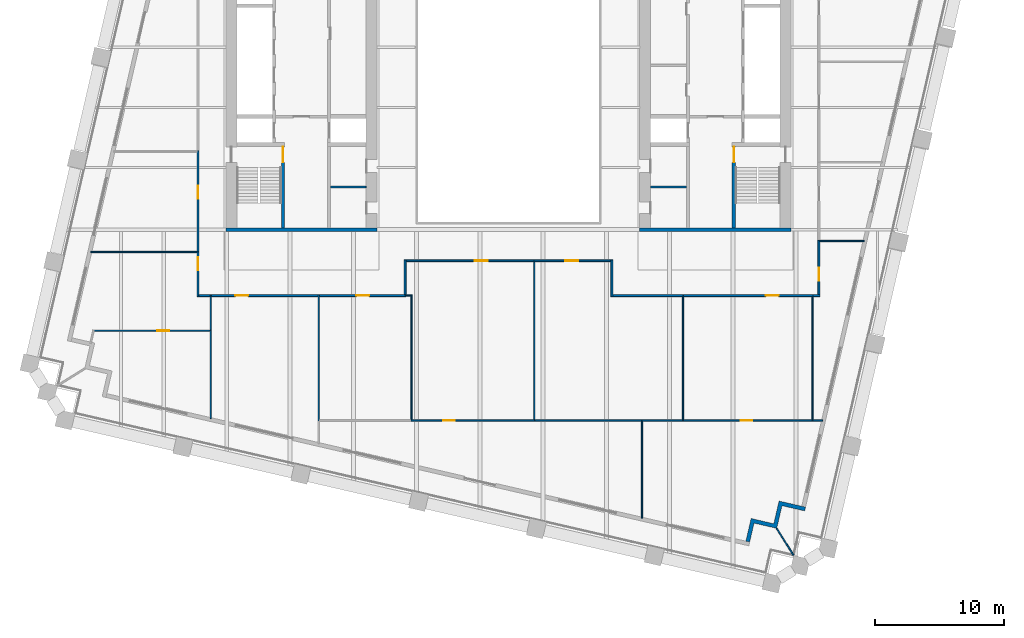
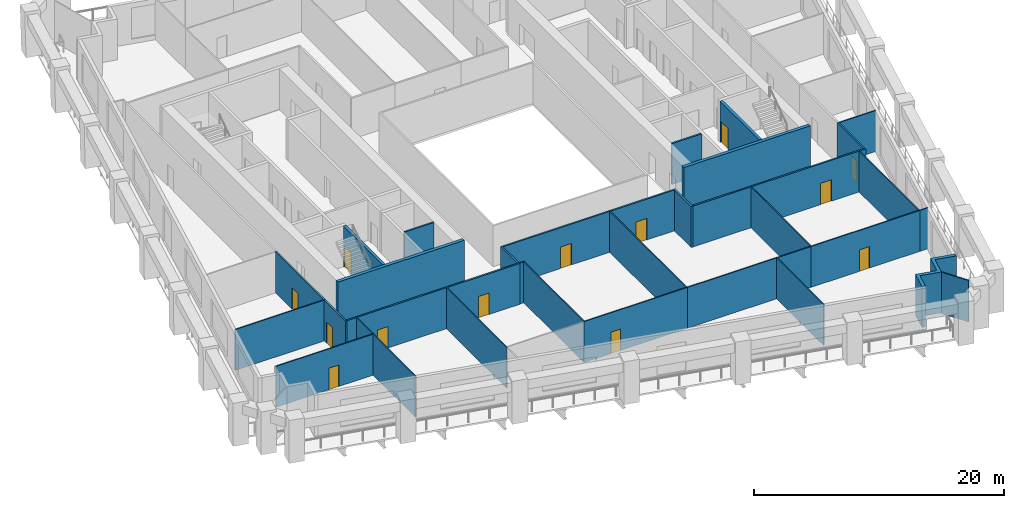
# One storey, part 4 of 9: 38 walls, 13 doors, 13 openings.
"""IFC4 building model written with IfcOpenShell, lengths in metres."""

from ifc_helpers import new_model, si_unit, direction, frame, frame_2d, origin, place, context, subcontext, project, spatial, polyline, rectangle, outline, extrude, material, layer, layer_set, type_object, element, fill, save


model = new_model("IFC4")

# Units and contexts
model_context = context("Model", 3, precision=1e-05, world=origin(), true_north=direction((0.0, 1.0)))
body_context = subcontext(model_context, "Body", "Model", "MODEL_VIEW")
ifc_project = project(units=[si_unit("LENGTHUNIT", "METRE"), si_unit("AREAUNIT", "SQUARE_METRE"), si_unit("VOLUMEUNIT", "CUBIC_METRE"), si_unit("PLANEANGLEUNIT", "RADIAN"), si_unit("MASSUNIT", "GRAM", prefix="KILO")], contexts=[model_context])

# Site, building, storey
site_placement = place(None, origin())
site = spatial("IfcSite", under=ifc_project, at=site_placement, CompositionType="ELEMENT")
building_placement = place(site_placement, origin())
building = spatial("IfcBuilding", under=site, at=building_placement, Name="Ogive Exchange Tower", CompositionType="ELEMENT")
storey_placement = place(building_placement, frame((0.0, 0.0, 122.39990234375)))
storey = spatial("IfcBuildingStorey", under=building, at=storey_placement, Name="L26", CompositionType="ELEMENT", Elevation=122.39990234375)

# Walls
ifc_material_1 = material(Name="Gypsum board partition")
ifc_layer_1 = layer(ifc_material_1, 0.14990234375)
ifc_layer_set_1 = layer_set([ifc_layer_1], Name="Core room partition 150 gypsum")
wall_type_1 = type_object("IfcWallType", Name="Core room partition 150 gypsum", PredefinedType="PARTITIONING", material=ifc_layer_set_1)
for number, where, z_axis, x_axis, name in (
    (1, (-13.75, 0.699951171875, 0.0), (0.0, 0.0, 1.0), (1.0, 0.0, 0.0), "W south room partition"),
    (2, (11.0, 0.699951171875, 0.0), (0.0, 0.0, 1.0), (1.0, 0.0, 0.0), "E south room partition"),
):
    element("IfcWall", number, at=place(storey_placement, frame(where, z_axis=z_axis, x_axis=x_axis)), inside=storey, type_object=wall_type_1, Name=name, PredefinedType="PARTITIONING", context=body_context, shape_type="SweptSolid", body=[
        extrude(rectangle(XDim=2.75, YDim=0.14990234375, at=frame_2d((1.375, 0.0))), origin(), (0.0, 0.0, 1.0), 4.0),
    ])

# Wall, opening, door
ifc_material_2 = material(Name="Fire partition EI 60 150")
ifc_layer_2 = layer(ifc_material_2, 0.14990234375)
ifc_layer_set_2 = layer_set([ifc_layer_2], Name="Fire partition EI 60 150")
wall_type_2 = type_object("IfcWallType", Name="Fire partition EI 60 150", PredefinedType="PARTITIONING", material=ifc_layer_set_2)
wall_1_placement = place(storey_placement, frame((-24.0, -7.77490234375, 0.0), z_axis=(0.0, 0.0, 1.0), x_axis=(0.0, 1.0, 0.0)))
wall_1 = element("IfcWall", 3, at=wall_1_placement, inside=storey, type_object=wall_type_2, Name="L26-PWL-003", PredefinedType="PARTITIONING", context=body_context, shape_type="SweptSolid", body=[
    extrude(rectangle(XDim=3.454833984375, YDim=0.14990234375, at=frame_2d((1.7275390625, 0.0))), origin(), (0.0, 0.0, 1.0), 4.0),
])
opening_1_placement = place(wall_1_placement, frame((2.054931640625, 0.0, 0.0)))
opening_1 = element("IfcOpeningElement", 4, at=opening_1_placement, cuts=wall_1, Name="Opening L26-I22", PredefinedType="OPENING", context=body_context, shape_type="SweptSolid", body=[
    extrude(rectangle(XDim=1.0, YDim=2.10009765625, at=frame_2d((0.5, 1.050048828125))), frame((0.0, 0.0849609375, 0.0), z_axis=(0.0, -1.0, 0.0), x_axis=(1.0, 0.0, 0.0)), (0.0, 0.0, 1.0), 0.169921875),
])
ifc_material_3 = material(Name="Fire door FD 30S 1000 x 2100")
door_type_1 = type_object("IfcDoorType", Name="Fire door FD 30S 1000 x 2100", OperationType="NOTDEFINED", PredefinedType="DOOR", material=ifc_material_3)
door_1_placement = place(opening_1_placement, origin())
door_1 = element("IfcDoor", 5, at=door_1_placement, inside=storey, type_object=door_type_1, Name="L26-IDR-022", ObjectType="DT3", OperationType="SINGLE_SWING_LEFT", OverallHeight=2.10009765625, OverallWidth=1.0, PredefinedType="DOOR", context=body_context, shape_type="SweptSolid", body=[
    extrude(rectangle(XDim=1.0, YDim=2.10009765625, at=frame_2d((0.5, 1.050048828125))), frame((0.0, 0.02490234375, 0.0), z_axis=(0.0, -1.0, 0.0), x_axis=(1.0, 0.0, 0.0)), (0.0, 0.0, 1.0), 0.050048828125),
])
fill(opening_1, door_1)

wall_2_placement = place(storey_placement, frame((-24.0, -4.320068359375, 0.0), z_axis=(0.0, 0.0, 1.0), x_axis=(0.0, 1.0, 0.0)))
wall_2 = element("IfcWall", 6, at=wall_2_placement, inside=storey, type_object=wall_type_2, Name="L26-PWL-005", PredefinedType="PARTITIONING", context=body_context, shape_type="SweptSolid", body=[
    extrude(rectangle(XDim=7.820068359375, YDim=0.14990234375, at=frame_2d((3.91015625, 0.0))), origin(), (0.0, 0.0, 1.0), 4.0),
])
opening_2_placement = place(wall_2_placement, frame((4.1201171875, 0.0, 0.0)))
opening_2 = element("IfcOpeningElement", 7, at=opening_2_placement, cuts=wall_2, Name="Opening L26-I21", PredefinedType="OPENING", context=body_context, shape_type="SweptSolid", body=[
    extrude(rectangle(XDim=1.0, YDim=2.10009765625, at=frame_2d((0.5, 1.050048828125))), frame((0.0, 0.0849609375, 0.0), z_axis=(0.0, -1.0, 0.0), x_axis=(1.0, 0.0, 0.0)), (0.0, 0.0, 1.0), 0.169921875),
])
door_2_placement = place(opening_2_placement, origin())
door_2 = element("IfcDoor", 8, at=door_2_placement, inside=storey, type_object=door_type_1, Name="L26-IDR-021", ObjectType="DT3", OperationType="SINGLE_SWING_LEFT", OverallHeight=2.10009765625, OverallWidth=1.0, PredefinedType="DOOR", context=body_context, shape_type="SweptSolid", body=[
    extrude(rectangle(XDim=1.0, YDim=2.10009765625, at=frame_2d((0.5, 1.050048828125))), frame((0.0, 0.02490234375, 0.0), z_axis=(0.0, -1.0, 0.0), x_axis=(1.0, 0.0, 0.0)), (0.0, 0.0, 1.0), 0.050048828125),
])
fill(opening_2, door_2)

# Wall
wall_3_placement = place(storey_placement, frame((-23.06005859375, -7.699951171875, 0.0), z_axis=(0.0, 0.0, 1.0), x_axis=(-1.0, 0.0, 0.0)))
element("IfcWall", 9, at=wall_3_placement, inside=storey, type_object=wall_type_2, Name="L26-PWL-013", PredefinedType="PARTITIONING", context=body_context, shape_type="SweptSolid", body=[
    extrude(rectangle(XDim=0.864990234375, YDim=0.14990234375, at=frame_2d((0.4326171875, 0.0))), origin(), (0.0, 0.0, 1.0), 4.0),
])

# Wall, opening, door
wall_4_placement = place(storey_placement, frame((-14.719970703125, -7.699951171875, 0.0), z_axis=(0.0, 0.0, 1.0), x_axis=(-1.0, 0.0, 0.0)))
wall_4 = element("IfcWall", 10, at=wall_4_placement, inside=storey, type_object=wall_type_2, Name="L26-PWL-017", PredefinedType="PARTITIONING", context=body_context, shape_type="SweptSolid", body=[
    extrude(rectangle(XDim=8.239990234375, YDim=0.14990234375, at=frame_2d((4.1201171875, 0.0))), origin(), (0.0, 0.0, 1.0), 4.0),
])
opening_3_placement = place(wall_4_placement, frame((5.389892578125, 0.0, 0.0)))
opening_3 = element("IfcOpeningElement", 11, at=opening_3_placement, cuts=wall_4, Name="Opening L26-I20", PredefinedType="OPENING", context=body_context, shape_type="SweptSolid", body=[
    extrude(rectangle(XDim=1.0, YDim=2.10009765625, at=frame_2d((0.5, 1.050048828125))), frame((0.0, 0.0849609375, 0.0), z_axis=(0.0, -1.0, 0.0), x_axis=(1.0, 0.0, 0.0)), (0.0, 0.0, 1.0), 0.169921875),
])
door_3_placement = place(opening_3_placement, origin())
door_3 = element("IfcDoor", 12, at=door_3_placement, inside=storey, type_object=door_type_1, Name="L26-IDR-020", ObjectType="DT3", OperationType="SINGLE_SWING_LEFT", OverallHeight=2.10009765625, OverallWidth=1.0, PredefinedType="DOOR", context=body_context, shape_type="SweptSolid", body=[
    extrude(rectangle(XDim=1.0, YDim=2.10009765625, at=frame_2d((0.5, 1.050048828125))), frame((0.0, 0.02490234375, 0.0), z_axis=(0.0, -1.0, 0.0), x_axis=(1.0, 0.0, 0.0)), (0.0, 0.0, 1.0), 0.050048828125),
])
fill(opening_3, door_3)

wall_5_placement = place(storey_placement, frame((-7.925048828125, -7.699951171875, 0.0), z_axis=(0.0, 0.0, 1.0), x_axis=(-1.0, 0.0, 0.0)))
wall_5 = element("IfcWall", 13, at=wall_5_placement, inside=storey, type_object=wall_type_2, Name="L26-PWL-021", PredefinedType="PARTITIONING", context=body_context, shape_type="SweptSolid", body=[
    extrude(rectangle(XDim=6.695068359375, YDim=0.14990234375, at=frame_2d((3.34765625, 0.0))), origin(), (0.0, 0.0, 1.0), 4.0),
])
opening_4_placement = place(wall_5_placement, frame((2.844970703125, 0.0, 0.0)))
opening_4 = element("IfcOpeningElement", 14, at=opening_4_placement, cuts=wall_5, Name="Opening L26-I03", PredefinedType="OPENING", context=body_context, shape_type="SweptSolid", body=[
    extrude(rectangle(XDim=1.0, YDim=2.10009765625, at=frame_2d((0.5, 1.050048828125))), frame((0.0, 0.0849609375, 0.0), z_axis=(0.0, -1.0, 0.0), x_axis=(1.0, 0.0, 0.0)), (0.0, 0.0, 1.0), 0.169921875),
])
door_4_placement = place(opening_4_placement, origin())
door_4 = element("IfcDoor", 15, at=door_4_placement, inside=storey, type_object=door_type_1, Name="L26-IDR-003", ObjectType="DT3", OperationType="SINGLE_SWING_LEFT", OverallHeight=2.10009765625, OverallWidth=1.0, PredefinedType="DOOR", context=body_context, shape_type="SweptSolid", body=[
    extrude(rectangle(XDim=1.0, YDim=2.10009765625, at=frame_2d((0.5, 1.050048828125))), frame((0.0, 0.02490234375, 0.0), z_axis=(0.0, -1.0, 0.0), x_axis=(1.0, 0.0, 0.0)), (0.0, 0.0, 1.0), 0.050048828125),
])
fill(opening_4, door_4)

# Wall
wall_6_placement = place(storey_placement, frame((-7.989990234375, -4.925048828125, 0.0), z_axis=(0.0, 0.0, 1.0), x_axis=(0.0, -1.0, 0.0)))
element("IfcWall", 16, at=wall_6_placement, inside=storey, type_object=wall_type_2, Name="L26-PWL-025", PredefinedType="PARTITIONING", context=body_context, shape_type="SweptSolid", body=[
    extrude(rectangle(XDim=2.68994140625, YDim=0.14990234375, at=frame_2d((1.344970703125, 0.0))), origin(), (0.0, 0.0, 1.0), 4.0),
])

# Wall, opening, door
wall_7_placement = place(storey_placement, frame((2.0400390625, -5.0, 0.0), z_axis=(0.0, 0.0, 1.0), x_axis=(-1.0, 0.0, 0.0)))
wall_7 = element("IfcWall", 17, at=wall_7_placement, inside=storey, type_object=wall_type_2, Name="L26-PWL-032", PredefinedType="PARTITIONING", context=body_context, shape_type="SweptSolid", body=[
    extrude(rectangle(XDim=9.955078125, YDim=0.14990234375, at=frame_2d((4.9775390625, 0.0))), origin(), (0.0, 0.0, 1.0), 4.0),
])
opening_5_placement = place(wall_7_placement, frame((3.6298828125, 0.0, 0.0)))
opening_5 = element("IfcOpeningElement", 18, at=opening_5_placement, cuts=wall_7, Name="Opening L26-I04", PredefinedType="OPENING", context=body_context, shape_type="SweptSolid", body=[
    extrude(rectangle(XDim=1.0, YDim=2.10009765625, at=frame_2d((0.5, 1.050048828125))), frame((0.0, 0.0849609375, 0.0), z_axis=(0.0, -1.0, 0.0), x_axis=(1.0, 0.0, 0.0)), (0.0, 0.0, 1.0), 0.169921875),
])
door_5_placement = place(opening_5_placement, origin())
door_5 = element("IfcDoor", 19, at=door_5_placement, inside=storey, type_object=door_type_1, Name="L26-IDR-004", ObjectType="DT3", OperationType="SINGLE_SWING_RIGHT", OverallHeight=2.10009765625, OverallWidth=1.0, PredefinedType="DOOR", context=body_context, shape_type="SweptSolid", body=[
    extrude(rectangle(XDim=1.0, YDim=2.10009765625, at=frame_2d((0.5, 1.050048828125))), frame((0.0, 0.02490234375, 0.0), z_axis=(0.0, -1.0, 0.0), x_axis=(1.0, 0.0, 0.0)), (0.0, 0.0, 1.0), 0.050048828125),
])
fill(opening_5, door_5)

# Wall
wall_8_placement = place(storey_placement, frame((8.0, -7.77490234375, 0.0), z_axis=(0.0, 0.0, 1.0), x_axis=(0.0, 1.0, 0.0)))
element("IfcWall", 20, at=wall_8_placement, inside=storey, type_object=wall_type_2, Name="L26-PWL-041", PredefinedType="PARTITIONING", context=body_context, shape_type="SweptSolid", body=[
    extrude(rectangle(XDim=2.849853515625, YDim=0.14990234375, at=frame_2d((1.4248046875, 0.0))), origin(), (0.0, 0.0, 1.0), 4.0),
])

# Wall, opening, door
wall_9_placement = place(storey_placement, frame((7.925048828125, -5.0, 0.0), z_axis=(0.0, 0.0, 1.0), x_axis=(-1.0, 0.0, 0.0)))
wall_9 = element("IfcWall", 21, at=wall_9_placement, inside=storey, type_object=wall_type_2, Name="L26-PWL-042", PredefinedType="PARTITIONING", context=body_context, shape_type="SweptSolid", body=[
    extrude(rectangle(XDim=5.93505859375, YDim=0.14990234375, at=frame_2d((2.967529296875, 0.0))), origin(), (0.0, 0.0, 1.0), 4.0),
])
opening_6_placement = place(wall_9_placement, frame((2.534912109375, 0.0, 0.0)))
opening_6 = element("IfcOpeningElement", 22, at=opening_6_placement, cuts=wall_9, Name="Opening L26-I05", PredefinedType="OPENING", context=body_context, shape_type="SweptSolid", body=[
    extrude(rectangle(XDim=1.0, YDim=2.10009765625, at=frame_2d((0.5, 1.050048828125))), frame((0.0, 0.0849609375, 0.0), z_axis=(0.0, -1.0, 0.0), x_axis=(1.0, 0.0, 0.0)), (0.0, 0.0, 1.0), 0.169921875),
])
door_6_placement = place(opening_6_placement, origin())
door_6 = element("IfcDoor", 23, at=door_6_placement, inside=storey, type_object=door_type_1, Name="L26-IDR-005", ObjectType="DT3", OperationType="SINGLE_SWING_LEFT", OverallHeight=2.10009765625, OverallWidth=1.0, PredefinedType="DOOR", context=body_context, shape_type="SweptSolid", body=[
    extrude(rectangle(XDim=1.0, YDim=2.10009765625, at=frame_2d((0.5, 1.050048828125))), frame((0.0, 0.02490234375, 0.0), z_axis=(0.0, -1.0, 0.0), x_axis=(1.0, 0.0, 0.0)), (0.0, 0.0, 1.0), 0.050048828125),
])
fill(opening_6, door_6)

# Wall
wall_10_placement = place(storey_placement, frame((13.5, -7.699951171875, 0.0), z_axis=(0.0, 0.0, 1.0), x_axis=(-1.0, 0.0, 0.0)))
element("IfcWall", 24, at=wall_10_placement, inside=storey, type_object=wall_type_2, Name="L26-PWL-047", PredefinedType="PARTITIONING", context=body_context, shape_type="SweptSolid", body=[
    extrude(rectangle(XDim=5.425048828125, YDim=0.14990234375, at=frame_2d((2.71240234375, 0.0))), origin(), (0.0, 0.0, 1.0), 4.0),
])

# Wall, opening, door
wall_11_placement = place(storey_placement, frame((23.550048828125, -7.699951171875, 0.0), z_axis=(0.0, 0.0, 1.0), x_axis=(-1.0, 0.0, 0.0)))
wall_11 = element("IfcWall", 25, at=wall_11_placement, inside=storey, type_object=wall_type_2, Name="L26-PWL-054", PredefinedType="PARTITIONING", context=body_context, shape_type="SweptSolid", body=[
    extrude(rectangle(XDim=10.050048828125, YDim=0.14990234375, at=frame_2d((5.02490234375, 0.0))), origin(), (0.0, 0.0, 1.0), 4.0),
])
opening_7_placement = place(wall_11_placement, frame((2.64990234375, 0.0, 0.0)))
opening_7 = element("IfcOpeningElement", 26, at=opening_7_placement, cuts=wall_11, Name="Opening L26-I06", PredefinedType="OPENING", context=body_context, shape_type="SweptSolid", body=[
    extrude(rectangle(XDim=1.0, YDim=2.10009765625, at=frame_2d((0.5, 1.050048828125))), frame((0.0, 0.0849609375, 0.0), z_axis=(0.0, -1.0, 0.0), x_axis=(1.0, 0.0, 0.0)), (0.0, 0.0, 1.0), 0.169921875),
])
door_7_placement = place(opening_7_placement, origin())
door_7 = element("IfcDoor", 27, at=door_7_placement, inside=storey, type_object=door_type_1, Name="L26-IDR-006", ObjectType="DT3", OperationType="SINGLE_SWING_RIGHT", OverallHeight=2.10009765625, OverallWidth=1.0, PredefinedType="DOOR", context=body_context, shape_type="SweptSolid", body=[
    extrude(rectangle(XDim=1.0, YDim=2.10009765625, at=frame_2d((0.5, 1.050048828125))), frame((0.0, 0.02490234375, 0.0), z_axis=(0.0, -1.0, 0.0), x_axis=(1.0, 0.0, 0.0)), (0.0, 0.0, 1.0), 0.050048828125),
])
fill(opening_7, door_7)

# Wall
wall_12_placement = place(storey_placement, frame((24.074951171875, -7.699951171875, 0.0), z_axis=(0.0, 0.0, 1.0), x_axis=(-1.0, 0.0, 0.0)))
element("IfcWall", 28, at=wall_12_placement, inside=storey, type_object=wall_type_2, Name="L26-PWL-056", PredefinedType="PARTITIONING", context=body_context, shape_type="SweptSolid", body=[
    extrude(rectangle(XDim=0.52490234375, YDim=0.14990234375, at=frame_2d((0.262451171875, 0.0))), origin(), (0.0, 0.0, 1.0), 4.0),
])

# Wall, opening, door
wall_13_placement = place(storey_placement, frame((24.0, -3.429931640625, 0.0), z_axis=(0.0, 0.0, 1.0), x_axis=(0.0, -1.0, 0.0)))
wall_13 = element("IfcWall", 29, at=wall_13_placement, inside=storey, type_object=wall_type_2, Name="L26-PWL-057", PredefinedType="PARTITIONING", context=body_context, shape_type="SweptSolid", body=[
    extrude(rectangle(XDim=4.195068359375, YDim=0.14990234375, at=frame_2d((2.09765625, 0.0))), origin(), (0.0, 0.0, 1.0), 4.0),
])
opening_8_placement = place(wall_13_placement, frame((2.1201171875, 0.0, 0.0)))
opening_8 = element("IfcOpeningElement", 30, at=opening_8_placement, cuts=wall_13, Name="Opening L26-I07", PredefinedType="OPENING", context=body_context, shape_type="SweptSolid", body=[
    extrude(rectangle(XDim=1.0, YDim=2.10009765625, at=frame_2d((0.5, 1.050048828125))), frame((0.0, 0.0849609375, 0.0), z_axis=(0.0, -1.0, 0.0), x_axis=(1.0, 0.0, 0.0)), (0.0, 0.0, 1.0), 0.169921875),
])
door_8_placement = place(opening_8_placement, origin())
door_8 = element("IfcDoor", 31, at=door_8_placement, inside=storey, type_object=door_type_1, Name="L26-IDR-007", ObjectType="DT3", OperationType="SINGLE_SWING_RIGHT", OverallHeight=2.10009765625, OverallWidth=1.0, PredefinedType="DOOR", context=body_context, shape_type="SweptSolid", body=[
    extrude(rectangle(XDim=1.0, YDim=2.10009765625, at=frame_2d((0.5, 1.050048828125))), frame((0.0, 0.02490234375, 0.0), z_axis=(0.0, -1.0, 0.0), x_axis=(1.0, 0.0, 0.0)), (0.0, 0.0, 1.0), 0.050048828125),
])
fill(opening_8, door_8)

# Walls
ifc_material_4 = material(Name="Precast concrete C40/50", Category="concrete")
ifc_layer_3 = layer(ifc_material_4, 0.300048828125)
ifc_layer_set_3 = layer_set([ifc_layer_3], Name="Limestone-faced wall 300")
wall_type_3 = type_object("IfcWallType", Name="Limestone-faced wall 300", PredefinedType="STANDARD", material=ifc_layer_set_3)
wall_14_placement = place(storey_placement, origin())
element("IfcWall", 32, at=wall_14_placement, inside=storey, type_object=wall_type_3, Name="External corner wall C1", PredefinedType="STANDARD", context=body_context, shape_type="SweptSolid", body=[
    extrude(outline(polyline([(20.515380859375, -25.330810546875), (20.92041015625, -23.576904296875), (22.966552734375, -24.04931640625), (22.89892578125, -24.341552734375), (21.145263671875, -23.936767578125), (20.740234375, -25.690673828125), (18.986328125, -25.28564453125), (18.64892578125, -26.747314453125), (18.356689453125, -26.6796875), (18.76171875, -24.92578125), (20.515380859375, -25.330810546875)])), origin(), (0.0, 0.0, 1.0), 4.0),
])
ifc_material_5 = material(Name="Laminated safety glass in steel frame", Category="steel")
ifc_layer_4 = layer(ifc_material_5, 0.10009765625)
ifc_layer_set_4 = layer_set([ifc_layer_4], Name="Loggia end screen 100")
wall_type_4 = type_object("IfcWallType", Name="Loggia end screen 100", PredefinedType="STANDARD", material=ifc_layer_set_4)
wall_15_placement = place(storey_placement, frame((20.740234375, -25.690673828125, -0.0498046875), z_axis=(0.0, 0.0, 1.0), x_axis=(0.529972121605, -0.848015064914, 0.0)))
element("IfcWall", 33, at=wall_15_placement, inside=storey, type_object=wall_type_4, Name="Loggia end screen C1", PredefinedType="STANDARD", context=body_context, shape_type="SweptSolid", body=[
    extrude(rectangle(XDim=2.454833984375, YDim=0.10009765625, at=frame_2d((1.2275390625, 0.0))), origin(), (0.0, 0.0, 1.0), 4.0498046875),
])
ifc_material_6 = material(Name="Partition 100 gypsum")
ifc_layer_5 = layer(ifc_material_6, 0.10009765625)
ifc_layer_set_5 = layer_set([ifc_layer_5], Name="Partition 100 gypsum")
wall_type_5 = type_object("IfcWallType", Name="Partition 100 gypsum", PredefinedType="PARTITIONING", material=ifc_layer_set_5)
wall_16_placement = place(storey_placement, frame((-24.074951171875, -4.320068359375, 0.0), z_axis=(0.0, 0.0, 1.0), x_axis=(-1.0, 0.0, 0.0)))
element("IfcWall", 34, at=wall_16_placement, inside=storey, type_object=wall_type_5, Name="L26-PWL-004", PredefinedType="PARTITIONING", context=body_context, shape_type="SweptSolid", body=[
    extrude(rectangle(XDim=8.217041015625, YDim=0.10009765625, at=frame_2d((4.1083984375, 0.0))), origin(), (0.0, 0.0, 1.0), 4.0),
])
wall_17_placement = place(storey_placement, frame((-23.010009765625, -17.2119140625, 0.0), z_axis=(0.0, 0.0, 1.0), x_axis=(0.0, 1.0, 0.0)))
element("IfcWall", 35, at=wall_17_placement, inside=storey, type_object=wall_type_5, Name="L26-PWL-010", PredefinedType="PARTITIONING", context=body_context, shape_type="SweptSolid", body=[
    extrude(rectangle(XDim=6.851806640625, YDim=0.10009765625, at=frame_2d((3.42578125, 0.0))), origin(), (0.0, 0.0, 1.0), 4.0),
])

# Wall, opening, door
wall_18_placement = place(storey_placement, frame((-23.06005859375, -10.409912109375, 0.0), z_axis=(0.0, 0.0, 1.0), x_axis=(-1.0, 0.0, 0.0)))
wall_18 = element("IfcWall", 36, at=wall_18_placement, inside=storey, type_object=wall_type_5, Name="L26-PWL-011", PredefinedType="PARTITIONING", context=body_context, shape_type="SweptSolid", body=[
    extrude(rectangle(XDim=8.969970703125, YDim=0.10009765625, at=frame_2d((4.48486328125, 0.0))), origin(), (0.0, 0.0, 1.0), 4.0),
])
opening_9_placement = place(wall_18_placement, frame((3.169921875, 0.0, 0.0)))
opening_9 = element("IfcOpeningElement", 37, at=opening_9_placement, cuts=wall_18, Name="Opening L26-I23", PredefinedType="OPENING", context=body_context, shape_type="SweptSolid", body=[
    extrude(rectangle(XDim=0.89990234375, YDim=2.10009765625, at=frame_2d((0.449951171875, 1.050048828125))), frame((0.0, 0.06005859375, 0.0), z_axis=(0.0, -1.0, 0.0), x_axis=(1.0, 0.0, 0.0)), (0.0, 0.0, 1.0), 0.1201171875),
])
ifc_material_7 = material(Name="Door 900 x 2100")
door_type_2 = type_object("IfcDoorType", Name="Door 900 x 2100", OperationType="NOTDEFINED", PredefinedType="DOOR", material=ifc_material_7)
door_9_placement = place(opening_9_placement, origin())
door_9 = element("IfcDoor", 38, at=door_9_placement, inside=storey, type_object=door_type_2, Name="L26-IDR-023", ObjectType="DT1", OperationType="SINGLE_SWING_RIGHT", OverallHeight=2.10009765625, OverallWidth=0.89990234375, PredefinedType="DOOR", context=body_context, shape_type="SweptSolid", body=[
    extrude(rectangle(XDim=0.89990234375, YDim=2.10009765625, at=frame_2d((0.449951171875, 1.050048828125))), frame((0.0, 0.02490234375, 0.0), z_axis=(0.0, -1.0, 0.0), x_axis=(1.0, 0.0, 0.0)), (0.0, 0.0, 1.0), 0.050048828125),
])
fill(opening_9, door_9)

# Walls
wall_19_placement = place(storey_placement, frame((-23.010009765625, -10.360107421875, 0.0), z_axis=(0.0, 0.0, 1.0), x_axis=(0.0, 1.0, 0.0)))
element("IfcWall", 39, at=wall_19_placement, inside=storey, type_object=wall_type_5, Name="L26-PWL-012", PredefinedType="PARTITIONING", context=body_context, shape_type="SweptSolid", body=[
    extrude(rectangle(XDim=2.735107421875, YDim=0.10009765625, at=frame_2d((1.36767578125, 0.0))), origin(), (0.0, 0.0, 1.0), 4.0),
])
wall_20_placement = place(storey_placement, frame((-14.669921875, -17.389892578125, 0.0), z_axis=(0.0, 0.0, 1.0), x_axis=(0.0, 1.0, 0.0)))
element("IfcWall", 40, at=wall_20_placement, inside=storey, type_object=wall_type_5, Name="L26-PWL-015", PredefinedType="PARTITIONING", context=body_context, shape_type="SweptSolid", body=[
    extrude(rectangle(XDim=9.764892578125, YDim=0.10009765625, at=frame_2d((4.88232421875, 0.0))), origin(), (0.0, 0.0, 1.0), 4.0),
])
wall_21_placement = place(storey_placement, frame((-7.925048828125, -7.68994140625, 0.0), z_axis=(0.0, 0.0, 1.0), x_axis=(1.0, 0.0, 0.0)))
element("IfcWall", 41, at=wall_21_placement, inside=storey, type_object=wall_type_5, Name="L26-PWL-024", PredefinedType="PARTITIONING", context=body_context, shape_type="SweptSolid", body=[
    extrude(rectangle(XDim=0.47509765625, YDim=0.10009765625, at=frame_2d((0.237548828125, 0.0))), origin(), (0.0, 0.0, 1.0), 4.0),
])

# Wall, opening, door
wall_22_placement = place(storey_placement, frame((-7.550048828125, -17.340087890625, 0.0), z_axis=(0.0, 0.0, 1.0), x_axis=(1.0, 0.0, 0.0)))
wall_22 = element("IfcWall", 42, at=wall_22_placement, inside=storey, type_object=wall_type_5, Name="L26-PWL-026", PredefinedType="PARTITIONING", context=body_context, shape_type="SweptSolid", body=[
    extrude(rectangle(XDim=9.590087890625, YDim=0.10009765625, at=frame_2d((4.794921875, 0.0))), origin(), (0.0, 0.0, 1.0), 4.0),
])
opening_10_placement = place(wall_22_placement, frame((2.5, 0.0, 0.0)))
opening_10 = element("IfcOpeningElement", 43, at=opening_10_placement, cuts=wall_22, Name="Opening L26-I01", PredefinedType="OPENING", context=body_context, shape_type="SweptSolid", body=[
    extrude(rectangle(XDim=0.89990234375, YDim=2.10009765625, at=frame_2d((0.449951171875, 1.050048828125))), frame((0.0, 0.06005859375, 0.0), z_axis=(0.0, -1.0, 0.0), x_axis=(1.0, 0.0, 0.0)), (0.0, 0.0, 1.0), 0.1201171875),
])
door_10_placement = place(opening_10_placement, frame((0.89990234375, 0.0, 0.0), z_axis=(0.0, 0.0, 1.0), x_axis=(-1.0, 0.0, 0.0)))
door_10 = element("IfcDoor", 44, at=door_10_placement, inside=storey, type_object=door_type_2, Name="L26-IDR-001", ObjectType="DT1", OperationType="SINGLE_SWING_LEFT", OverallHeight=2.10009765625, OverallWidth=0.89990234375, PredefinedType="DOOR", context=body_context, shape_type="SweptSolid", body=[
    extrude(rectangle(XDim=0.89990234375, YDim=2.10009765625, at=frame_2d((0.449951171875, 1.050048828125))), frame((0.0, 0.02490234375, 0.0), z_axis=(0.0, -1.0, 0.0), x_axis=(1.0, 0.0, 0.0)), (0.0, 0.0, 1.0), 0.050048828125),
])
fill(opening_10, door_10)

# Walls
wall_23_placement = place(storey_placement, frame((-7.5, -7.739990234375, 0.0), z_axis=(0.0, 0.0, 1.0), x_axis=(0.0, -1.0, 0.0)))
element("IfcWall", 45, at=wall_23_placement, inside=storey, type_object=wall_type_5, Name="L26-PWL-027", PredefinedType="PARTITIONING", context=body_context, shape_type="SweptSolid", body=[
    extrude(rectangle(XDim=9.550048828125, YDim=0.10009765625, at=frame_2d((4.77490234375, 0.0))), origin(), (0.0, 0.0, 1.0), 4.0),
])
wall_24_placement = place(storey_placement, frame((2.0400390625, -17.340087890625, 0.0), z_axis=(0.0, 0.0, 1.0), x_axis=(1.0, 0.0, 0.0)))
element("IfcWall", 46, at=wall_24_placement, inside=storey, type_object=wall_type_5, Name="L26-PWL-031", PredefinedType="PARTITIONING", context=body_context, shape_type="SweptSolid", body=[
    extrude(rectangle(XDim=8.330078125, YDim=0.10009765625, at=frame_2d((4.1650390625, 0.0))), origin(), (0.0, 0.0, 1.0), 4.0),
])
wall_25_placement = place(storey_placement, frame((1.989990234375, -5.074951171875, 0.0), z_axis=(0.0, 0.0, 1.0), x_axis=(0.0, -1.0, 0.0)))
element("IfcWall", 47, at=wall_25_placement, inside=storey, type_object=wall_type_5, Name="L26-PWL-033", PredefinedType="PARTITIONING", context=body_context, shape_type="SweptSolid", body=[
    extrude(rectangle(XDim=12.215087890625, YDim=0.10009765625, at=frame_2d((6.107421875, 0.0))), origin(), (0.0, 0.0, 1.0), 4.0),
])
wall_26_placement = place(storey_placement, frame((10.320068359375, -17.389892578125, 0.0), z_axis=(0.0, 0.0, 1.0), x_axis=(0.0, -1.0, 0.0)))
element("IfcWall", 48, at=wall_26_placement, inside=storey, type_object=wall_type_5, Name="L26-PWL-044", PredefinedType="PARTITIONING", context=body_context, shape_type="SweptSolid", body=[
    extrude(rectangle(XDim=7.51708984375, YDim=0.10009765625, at=frame_2d((3.758544921875, 0.0))), origin(), (0.0, 0.0, 1.0), 4.0),
])
wall_27_placement = place(storey_placement, frame((10.320068359375, -17.340087890625, 0.0), z_axis=(0.0, 0.0, 1.0), x_axis=(1.0, 0.0, 0.0)))
element("IfcWall", 49, at=wall_27_placement, inside=storey, type_object=wall_type_5, Name="L26-PWL-045", PredefinedType="PARTITIONING", context=body_context, shape_type="SweptSolid", body=[
    extrude(rectangle(XDim=3.1298828125, YDim=0.10009765625, at=frame_2d((1.56494140625, 0.0))), origin(), (0.0, 0.0, 1.0), 4.0),
])

# Wall, opening, door
wall_28_placement = place(storey_placement, frame((13.449951171875, -17.340087890625, 0.0), z_axis=(0.0, 0.0, 1.0), x_axis=(1.0, 0.0, 0.0)))
wall_28 = element("IfcWall", 50, at=wall_28_placement, inside=storey, type_object=wall_type_5, Name="L26-PWL-046", PredefinedType="PARTITIONING", context=body_context, shape_type="SweptSolid", body=[
    extrude(rectangle(XDim=10.10009765625, YDim=0.10009765625, at=frame_2d((5.050048828125, 0.0))), origin(), (0.0, 0.0, 1.0), 4.0),
])
opening_11_placement = place(wall_28_placement, frame((4.5, 0.0, 0.0)))
opening_11 = element("IfcOpeningElement", 51, at=opening_11_placement, cuts=wall_28, Name="Opening L26-I02", PredefinedType="OPENING", context=body_context, shape_type="SweptSolid", body=[
    extrude(rectangle(XDim=0.89990234375, YDim=2.10009765625, at=frame_2d((0.449951171875, 1.050048828125))), frame((0.0, 0.06005859375, 0.0), z_axis=(0.0, -1.0, 0.0), x_axis=(1.0, 0.0, 0.0)), (0.0, 0.0, 1.0), 0.1201171875),
])
door_11_placement = place(opening_11_placement, origin())
door_11 = element("IfcDoor", 52, at=door_11_placement, inside=storey, type_object=door_type_2, Name="L26-IDR-002", ObjectType="DT1", OperationType="SINGLE_SWING_RIGHT", OverallHeight=2.10009765625, OverallWidth=0.89990234375, PredefinedType="DOOR", context=body_context, shape_type="SweptSolid", body=[
    extrude(rectangle(XDim=0.89990234375, YDim=2.10009765625, at=frame_2d((0.449951171875, 1.050048828125))), frame((0.0, 0.02490234375, 0.0), z_axis=(0.0, -1.0, 0.0), x_axis=(1.0, 0.0, 0.0)), (0.0, 0.0, 1.0), 0.050048828125),
])
fill(opening_11, door_11)

# Walls
wall_29_placement = place(storey_placement, frame((13.5, -7.77490234375, 0.0), z_axis=(0.0, 0.0, 1.0), x_axis=(0.0, -1.0, 0.0)))
element("IfcWall", 53, at=wall_29_placement, inside=storey, type_object=wall_type_5, Name="L26-PWL-048", PredefinedType="PARTITIONING", context=body_context, shape_type="SweptSolid", body=[
    extrude(rectangle(XDim=9.51513671875, YDim=0.10009765625, at=frame_2d((4.757568359375, 0.0))), origin(), (0.0, 0.0, 1.0), 4.0),
])
wall_30_placement = place(storey_placement, frame((23.550048828125, -17.340087890625, 0.0), z_axis=(0.0, 0.0, 1.0), x_axis=(1.0, 0.0, 0.0)))
element("IfcWall", 54, at=wall_30_placement, inside=storey, type_object=wall_type_5, Name="L26-PWL-053", PredefinedType="PARTITIONING", context=body_context, shape_type="SweptSolid", body=[
    extrude(rectangle(XDim=0.739990234375, YDim=0.10009765625, at=frame_2d((0.3701171875, 0.0))), origin(), (0.0, 0.0, 1.0), 4.0),
])
wall_31_placement = place(storey_placement, frame((23.5, -7.77490234375, 0.0), z_axis=(0.0, 0.0, 1.0), x_axis=(0.0, -1.0, 0.0)))
element("IfcWall", 55, at=wall_31_placement, inside=storey, type_object=wall_type_5, Name="L26-PWL-055", PredefinedType="PARTITIONING", context=body_context, shape_type="SweptSolid", body=[
    extrude(rectangle(XDim=9.51513671875, YDim=0.10009765625, at=frame_2d((4.757568359375, 0.0))), origin(), (0.0, 0.0, 1.0), 4.0),
])
wall_32_placement = place(storey_placement, frame((24.074951171875, -3.47998046875, 0.0), z_axis=(0.0, 0.0, 1.0), x_axis=(1.0, 0.0, 0.0)))
element("IfcWall", 56, at=wall_32_placement, inside=storey, type_object=wall_type_5, Name="L26-PWL-058", PredefinedType="PARTITIONING", context=body_context, shape_type="SweptSolid", body=[
    extrude(rectangle(XDim=3.4150390625, YDim=0.10009765625, at=frame_2d((1.70751953125, 0.0))), origin(), (0.0, 0.0, 1.0), 4.0),
])

# Wall, opening, door
ifc_material_8 = material(Name="Concrete C70/85", Category="concrete")
ifc_layer_6 = layer(ifc_material_8, 0.25)
ifc_layer_set_6 = layer_set([ifc_layer_6], Name="RC core wall 250 C70/85")
wall_type_6 = type_object("IfcWallType", Name="RC core wall 250 C70/85", PredefinedType="SHEAR", material=ifc_layer_set_6)
wall_33_placement = place(storey_placement, frame((-17.425048828125, -2.449951171875, 0.0), z_axis=(0.0, 0.0, 1.0), x_axis=(0.0, 1.0, 0.0)))
wall_33 = element("IfcWall", 57, at=wall_33_placement, inside=storey, type_object=wall_type_6, Name="W stair S front wall", PredefinedType="SHEAR", context=body_context, shape_type="SweptSolid", body=[
    extrude(rectangle(XDim=6.300048828125, YDim=0.25, at=frame_2d((3.14990234375, 0.0))), origin(), (0.0, 0.0, 1.0), 4.0),
])
opening_12_placement = place(wall_33_placement, frame((5.050048828125, 0.0, 0.0)))
opening_12 = element("IfcOpeningElement", 58, at=opening_12_placement, cuts=wall_33, Name="Opening L26-C12", PredefinedType="OPENING", context=body_context, shape_type="SweptSolid", body=[
    extrude(rectangle(XDim=1.199951171875, YDim=2.10009765625, at=frame_2d((0.60009765625, 1.050048828125))), frame((0.0, 0.135009765625, 0.0), z_axis=(0.0, -1.0, 0.0), x_axis=(1.0, 0.0, 0.0)), (0.0, 0.0, 1.0), 0.27001953125),
])
ifc_material_9 = material(Name="Steel fire door", Category="steel")
door_type_3 = type_object("IfcDoorType", Name="Stair door FD90 1200 x 2100", OperationType="NOTDEFINED", PredefinedType="DOOR", material=ifc_material_9)
door_12_placement = place(opening_12_placement, origin())
door_12 = element("IfcDoor", 59, at=door_12_placement, inside=storey, type_object=door_type_3, Name="Stair door", ObjectType="CD5", OperationType="SINGLE_SWING_LEFT", OverallHeight=2.10009765625, OverallWidth=1.199951171875, PredefinedType="DOOR", context=body_context, shape_type="SweptSolid", body=[
    extrude(rectangle(XDim=1.199951171875, YDim=2.10009765625, at=frame_2d((0.60009765625, 1.050048828125))), frame((0.0, 0.02490234375, 0.0), z_axis=(0.0, -1.0, 0.0), x_axis=(1.0, 0.0, 0.0)), (0.0, 0.0, 1.0), 0.050048828125),
])
fill(opening_12, door_12)

wall_34_placement = place(storey_placement, frame((17.425048828125, -2.449951171875, 0.0), z_axis=(0.0, 0.0, 1.0), x_axis=(0.0, 1.0, 0.0)))
wall_34 = element("IfcWall", 60, at=wall_34_placement, inside=storey, type_object=wall_type_6, Name="E stair S front wall", PredefinedType="SHEAR", context=body_context, shape_type="SweptSolid", body=[
    extrude(rectangle(XDim=6.300048828125, YDim=0.25, at=frame_2d((3.14990234375, 0.0))), origin(), (0.0, 0.0, 1.0), 4.0),
])
opening_13_placement = place(wall_34_placement, frame((5.050048828125, 0.0, 0.0)))
opening_13 = element("IfcOpeningElement", 61, at=opening_13_placement, cuts=wall_34, Name="Opening L26-C30", PredefinedType="OPENING", context=body_context, shape_type="SweptSolid", body=[
    extrude(rectangle(XDim=1.199951171875, YDim=2.10009765625, at=frame_2d((0.60009765625, 1.050048828125))), frame((0.0, 0.135009765625, 0.0), z_axis=(0.0, -1.0, 0.0), x_axis=(1.0, 0.0, 0.0)), (0.0, 0.0, 1.0), 0.27001953125),
])
door_13_placement = place(opening_13_placement, frame((1.199951171875, 0.0, 0.0), z_axis=(0.0, 0.0, 1.0), x_axis=(-1.0, 0.0, 0.0)))
door_13 = element("IfcDoor", 62, at=door_13_placement, inside=storey, type_object=door_type_3, Name="Stair door", ObjectType="CD5", OperationType="SINGLE_SWING_RIGHT", OverallHeight=2.10009765625, OverallWidth=1.199951171875, PredefinedType="DOOR", context=body_context, shape_type="SweptSolid", body=[
    extrude(rectangle(XDim=1.199951171875, YDim=2.10009765625, at=frame_2d((0.60009765625, 1.050048828125))), frame((0.0, 0.02490234375, 0.0), z_axis=(0.0, -1.0, 0.0), x_axis=(1.0, 0.0, 0.0)), (0.0, 0.0, 1.0), 0.050048828125),
])
fill(opening_13, door_13)

# Walls
ifc_layer_7 = layer(ifc_material_8, 0.300048828125)
ifc_layer_set_7 = layer_set([ifc_layer_7], Name="RC core wall 300 C70/85")
wall_type_7 = type_object("IfcWallType", Name="RC core wall 300 C70/85", PredefinedType="SHEAR", material=ifc_layer_set_7)
for number, where, z_axis, x_axis, name in (
    (63, (-21.85009765625, -2.60009765625, 0.0), (0.0, 0.0, 1.0), (1.0, 0.0, 0.0), "W south end wall"),
    (64, (10.14990234375, -2.60009765625, 0.0), (0.0, 0.0, 1.0), (1.0, 0.0, 0.0), "E south end wall"),
):
    element("IfcWall", number, at=place(storey_placement, frame(where, z_axis=z_axis, x_axis=x_axis)), inside=storey, type_object=wall_type_7, Name=name, PredefinedType="SHEAR", context=body_context, shape_type="SweptSolid", body=[
        extrude(rectangle(XDim=11.7001953125, YDim=0.300048828125, at=frame_2d((5.85009765625, 0.0))), origin(), (0.0, 0.0, 1.0), 4.0),
    ])

save(model, "model.ifc")
